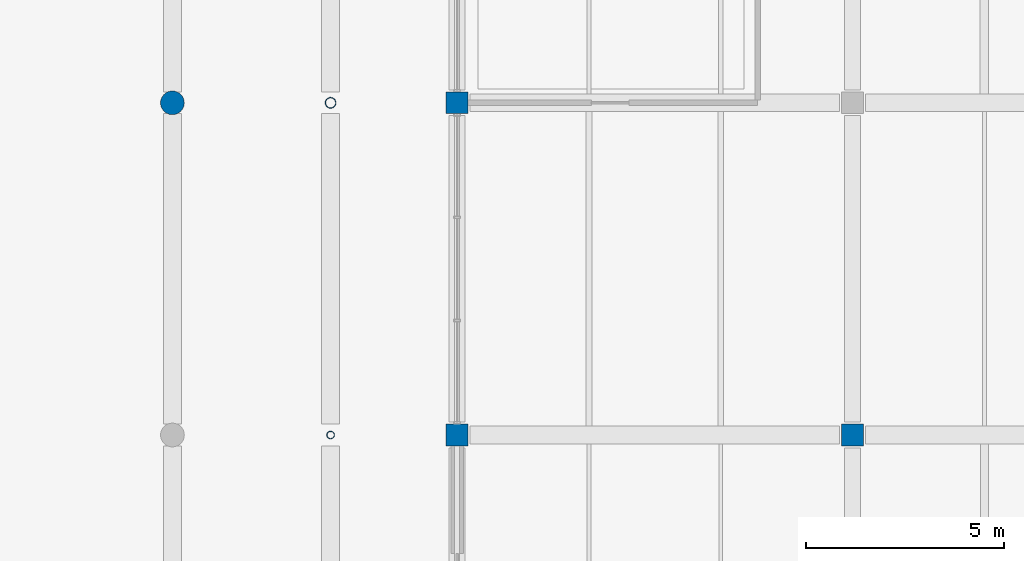
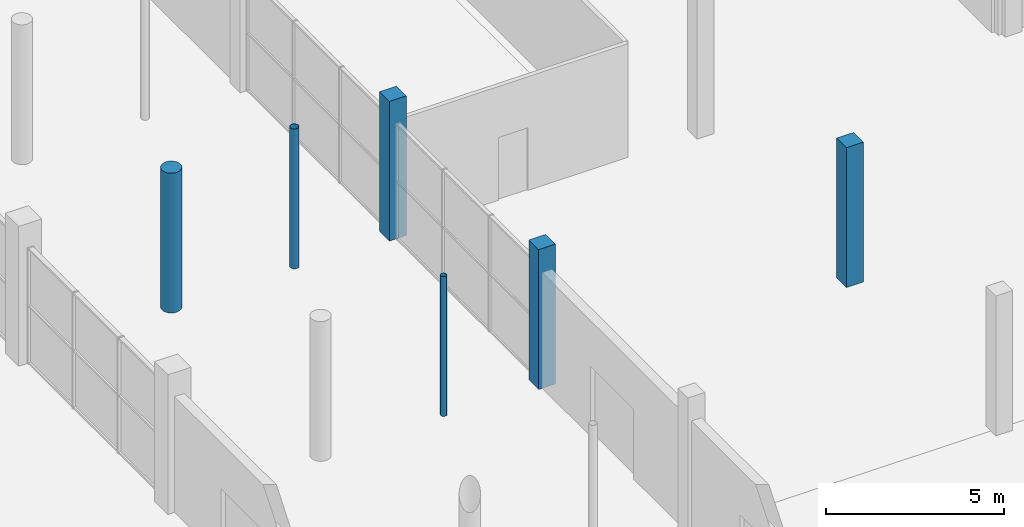
# One storey, part 8 of 130: 6 columns.
"""IFC4 building model written with IfcOpenShell, lengths in metres."""

from ifc_helpers import new_model, si_unit, direction, frame, origin, origin_2d, place, context, subcontext, project, spatial, rectangle, circle, hollow_circle, extrude, material, material_profile, profile_set, type_object, element, save


model = new_model("IFC4")

# Units and contexts
model_context = context("Model", 3, precision=1e-05, world=origin(), true_north=direction((0.0, 1.0)))
body_context = subcontext(model_context, "Body", "Model", "MODEL_VIEW")
ifc_project = project(units=[si_unit("LENGTHUNIT", "METRE"), si_unit("AREAUNIT", "SQUARE_METRE"), si_unit("VOLUMEUNIT", "CUBIC_METRE"), si_unit("PLANEANGLEUNIT", "RADIAN"), si_unit("MASSUNIT", "GRAM", prefix="KILO"), si_unit("THERMODYNAMICTEMPERATUREUNIT", "KELVIN")], contexts=[model_context])

# Site, building, storey
site_placement = place(None, origin())
site = spatial("IfcSite", under=ifc_project, at=site_placement, CompositionType="ELEMENT")
building_placement = place(site_placement, origin())
building = spatial("IfcBuilding", under=site, at=building_placement, Name="Nduvali Passage Aquatics Centre", CompositionType="ELEMENT")
storey_placement = place(building_placement, origin())
storey = spatial("IfcBuildingStorey", under=building, at=storey_placement, Name="L00", CompositionType="ELEMENT", Elevation=0.0)

# Columns
ifc_material_1 = material(Name="Concrete C40/50", Category="concrete")
ifc_material_profile_1 = material_profile(ifc_material_1, rectangle(XDim=0.550048828125, YDim=0.550048828125, at=origin_2d()), Name="RC 550x550")
ifc_profile_set_1 = profile_set([ifc_material_profile_1], Name="Concrete C40/50")
column_type_1 = type_object("IfcColumnType", Name="STR-COL-RC550", PredefinedType="COLUMN", material=ifc_profile_set_1)
column_1_placement = place(storey_placement, frame((148.0, 67.199951171875, 0.0), z_axis=(0.0, 0.0, 1.0), x_axis=(1.0, 0.0, 0.0)))
element("IfcColumn", 1, at=column_1_placement, inside=storey, type_object=column_type_1, Name="L00 Column C4 (148.0, 67.2)", PredefinedType="COLUMN", context=body_context, shape_type="SweptSolid", body=[
    extrude(rectangle(XDim=0.550048828125, YDim=0.550048828125, at=origin_2d()), origin(), (0.0, 0.0, 1.0), 4.800048828125),
])
ifc_material_profile_2 = material_profile(ifc_material_1, rectangle(XDim=0.550048828125, YDim=0.550048828125, at=origin_2d()), Name="RC 550x550")
ifc_profile_set_2 = profile_set([ifc_material_profile_2], Name="Concrete C40/50")
column_type_2 = type_object("IfcColumnType", Name="STR-COL-RC550-EXT", PredefinedType="COLUMN", material=ifc_profile_set_2)
for number, where, z_axis, x_axis, name in (
    (2, (138.0, 67.199951171875, 0.0), (0.0, 0.0, 1.0), (1.0, 0.0, 0.0), "L00 Column C4E (138.0, 67.2)"),
    (3, (138.0, 75.60009765625, 0.0), (0.0, 0.0, 1.0), (1.0, 0.0, 0.0), "L00 Column C4E (138.0, 75.6)"),
):
    element("IfcColumn", number, at=place(storey_placement, frame(where, z_axis=z_axis, x_axis=x_axis)), inside=storey, type_object=column_type_2, Name=name, PredefinedType="COLUMN", context=body_context, shape_type="SweptSolid", body=[
        extrude(rectangle(XDim=0.550048828125, YDim=0.550048828125, at=origin_2d()), origin(), (0.0, 0.0, 1.0), 4.800048828125),
    ])
ifc_material_2 = material(Name="Steel S355", Category="steel")
ifc_material_profile_3 = material_profile(ifc_material_2, hollow_circle(Radius=0.096923828125, WallThickness=0.008056640625, at=origin_2d()), Name="CHS 193.7x8.0")
ifc_profile_set_3 = profile_set([ifc_material_profile_3], Name="Steel S355")
column_type_3 = type_object("IfcColumnType", Name="STR-PIL-CHS193-EXT", PredefinedType="PILASTER", material=ifc_profile_set_3)
column_2_placement = place(storey_placement, frame((134.800048828125, 67.199951171875, 0.0), z_axis=(0.0, 0.0, 1.0), x_axis=(1.0, 0.0, 0.0)))
element("IfcColumn", 4, at=column_2_placement, inside=storey, type_object=column_type_3, Name="L00 Column CP3E (134.8, 67.2)", PredefinedType="PILASTER", context=body_context, shape_type="SweptSolid", body=[
    extrude(hollow_circle(Radius=0.096923828125, WallThickness=0.008056640625, at=origin_2d()), origin(), (0.0, 0.0, 1.0), 4.800048828125),
])
ifc_material_profile_4 = material_profile(ifc_material_2, hollow_circle(Radius=0.136474609375, WallThickness=0.010009765625, at=origin_2d()), Name="CHS 273.0x10.0")
ifc_profile_set_4 = profile_set([ifc_material_profile_4], Name="Steel S355")
column_type_4 = type_object("IfcColumnType", Name="STR-PIL-CHS273-EXT", PredefinedType="PILASTER", material=ifc_profile_set_4)
column_3_placement = place(storey_placement, frame((134.800048828125, 75.60009765625, 0.0), z_axis=(0.0, 0.0, 1.0), x_axis=(1.0, 0.0, 0.0)))
element("IfcColumn", 5, at=column_3_placement, inside=storey, type_object=column_type_4, Name="L00 Column CP2E (134.8, 75.6)", PredefinedType="PILASTER", context=body_context, shape_type="SweptSolid", body=[
    extrude(hollow_circle(Radius=0.136474609375, WallThickness=0.010009765625, at=origin_2d()), origin(), (0.0, 0.0, 1.0), 4.800048828125),
])
ifc_material_profile_5 = material_profile(ifc_material_1, circle(Radius=0.300048828125, at=origin_2d()), Name="RC D600")
ifc_profile_set_5 = profile_set([ifc_material_profile_5], Name="Concrete C40/50")
column_type_5 = type_object("IfcColumnType", Name="STR-PIL-D600-EXT", PredefinedType="PILASTER", material=ifc_profile_set_5)
column_4_placement = place(storey_placement, frame((130.800048828125, 75.60009765625, 0.0), z_axis=(0.0, 0.0, 1.0), x_axis=(1.0, 0.0, 0.0)))
element("IfcColumn", 6, at=column_4_placement, inside=storey, type_object=column_type_5, Name="L00 Column CP1E (130.8, 75.6)", PredefinedType="PILASTER", context=body_context, shape_type="SweptSolid", body=[
    extrude(circle(Radius=0.300048828125, at=origin_2d()), origin(), (0.0, 0.0, 1.0), 4.800048828125),
])

save(model, "model.ifc")
